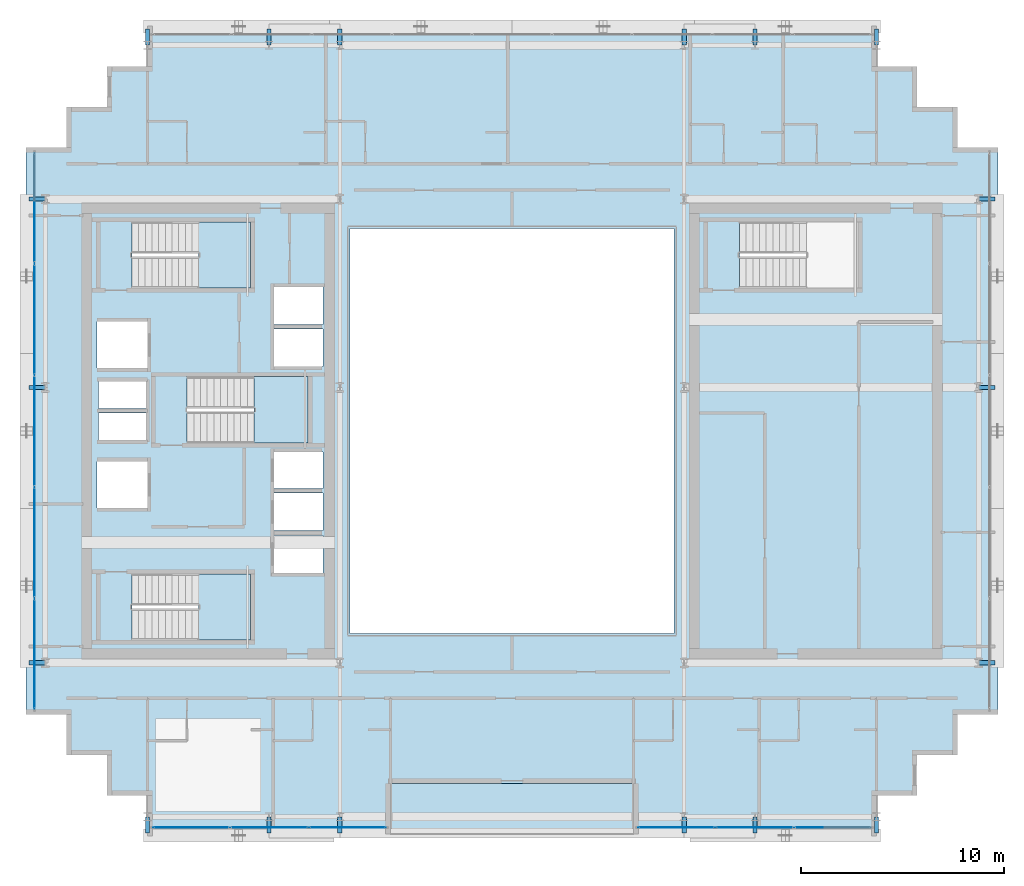
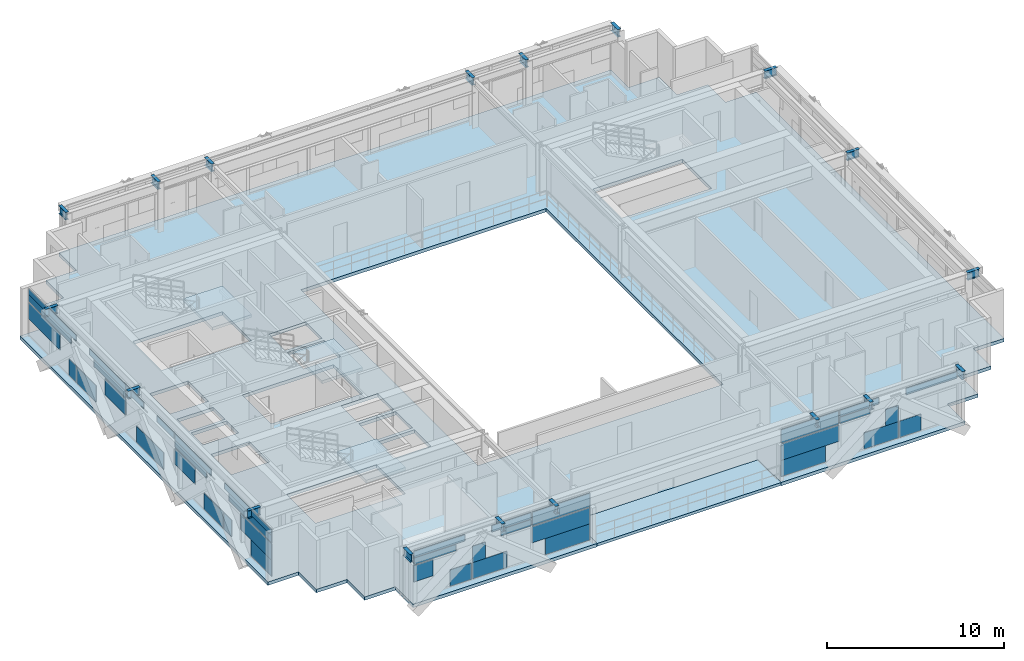
# One storey, part 20 of 31: 40 plates, 18 beams, 5 slabs, 6 elements without a shape of their own.
"""IFC4 building model written with IfcOpenShell, lengths in metres."""

from ifc_helpers import new_model, si_unit, direction, frame, origin, origin_2d, place, context, subcontext, project, spatial, polyline, rectangle, i_section, outline, extrude, source, transform, mapped, material, layer, layer_set, material_profile, profile_set, type_object, element, aggregate, save


model = new_model("IFC4")

# Units and contexts
model_context = context("Model", 3, precision=1e-05, world=origin(), true_north=direction((0.0, 1.0)))
body_context = subcontext(model_context, "Body", "Model", "MODEL_VIEW")
ifc_project = project(units=[si_unit("LENGTHUNIT", "METRE"), si_unit("AREAUNIT", "SQUARE_METRE"), si_unit("VOLUMEUNIT", "CUBIC_METRE"), si_unit("PLANEANGLEUNIT", "RADIAN"), si_unit("MASSUNIT", "GRAM", prefix="KILO")], contexts=[model_context])

# Site, building, storey
site_placement = place(None, origin())
site = spatial("IfcSite", under=ifc_project, at=site_placement, CompositionType="ELEMENT")
building_placement = place(site_placement, origin())
building = spatial("IfcBuilding", under=site, at=building_placement, Name="Ocotamira Hotel", CompositionType="ELEMENT")
storey_placement = place(building_placement, frame((0.0, 0.0, 181.199951171875)))
storey = spatial("IfcBuildingStorey", under=building, at=storey_placement, Name="L45", CompositionType="ELEMENT", Elevation=181.199951171875)

# Beams
ifc_material_1 = material(Name="Steel ASTM A992 Grade 50", Category="steel")
ifc_material_profile = material_profile(ifc_material_1, i_section(OverallWidth=0.2099609375, OverallDepth=0.537109375, WebThickness=0.010986328125, FlangeThickness=0.017333984375, FilletRadius=0.012939453125, at=origin_2d()), Name="W21X68")
ifc_profile_set = profile_set([ifc_material_profile], Name="Steel ASTM A992 Grade 50")
beam_type = type_object("IfcBeamType", Name="BM-SEC-W21X68", PredefinedType="JOIST", material=ifc_profile_set)
shared_shape_1 = source(origin(), body_context, "Body", "SweptSolid", [
    extrude(i_section(OverallWidth=0.2099609375, OverallDepth=0.537109375, WebThickness=0.010986328125, FlangeThickness=0.017333984375, FilletRadius=0.012939453125, at=origin_2d()), origin(), (0.0, 0.0, 1.0), 0.800048828125),
])
for number, where, z_axis, x_axis, name in (
    (1, (14.0, 6.949951171875, 3.1015625), (0.0, -1.0, 0.0), (1.0, 0.0, 0.0), "L45 South Edge Header X14"),
    (2, (14.0, 45.050048828125, 3.1015625), (0.0, 1.0, 0.0), (-1.0, 0.0, 0.0), "L45 North Edge Header X14"),
    (3, (20.0, 6.949951171875, 3.1015625), (0.0, -1.0, 0.0), (1.0, 0.0, 0.0), "L45 South Edge Header X20"),
    (4, (20.0, 45.050048828125, 3.1015625), (0.0, 1.0, 0.0), (-1.0, 0.0, 0.0), "L45 North Edge Header X20"),
    (5, (23.5, 6.949951171875, 3.1015625), (0.0, -1.0, 0.0), (1.0, 0.0, 0.0), "L45 South Edge Header X23.5"),
    (6, (23.5, 45.050048828125, 3.1015625), (0.0, 1.0, 0.0), (-1.0, 0.0, 0.0), "L45 North Edge Header X23.5"),
    (7, (40.5, 6.949951171875, 3.1015625), (0.0, -1.0, 0.0), (1.0, 0.0, 0.0), "L45 South Edge Header X40.5"),
    (8, (40.5, 45.050048828125, 3.1015625), (0.0, 1.0, 0.0), (-1.0, 0.0, 0.0), "L45 North Edge Header X40.5"),
    (9, (44.0, 6.949951171875, 3.1015625), (0.0, -1.0, 0.0), (1.0, 0.0, 0.0), "L45 South Edge Header X44"),
    (10, (44.0, 45.050048828125, 3.1015625), (0.0, 1.0, 0.0), (-1.0, 0.0, 0.0), "L45 North Edge Header X44"),
    (11, (50.0, 6.949951171875, 3.1015625), (0.0, -1.0, 0.0), (1.0, 0.0, 0.0), "L45 South Edge Header X50"),
    (12, (50.0, 45.050048828125, 3.1015625), (0.0, 1.0, 0.0), (-1.0, 0.0, 0.0), "L45 North Edge Header X50"),
    (13, (8.949951171875, 14.550048828125, 3.1015625), (-1.0, 0.0, 0.0), (0.0, -1.0, 0.0), "L45 West Edge Header Y14.55"),
    (14, (55.050048828125, 14.550048828125, 3.1015625), (1.0, 0.0, 0.0), (0.0, 1.0, 0.0), "L45 East Edge Header Y14.55"),
    (15, (8.949951171875, 28.14990234375, 3.1015625), (-1.0, 0.0, 0.0), (0.0, -1.0, 0.0), "L45 West Edge Header Y28.15"),
    (16, (55.050048828125, 28.14990234375, 3.1015625), (1.0, 0.0, 0.0), (0.0, 1.0, 0.0), "L45 East Edge Header Y28.15"),
    (17, (8.949951171875, 37.449951171875, 3.1015625), (-1.0, 0.0, 0.0), (0.0, -1.0, 0.0), "L45 West Edge Header Y37.45"),
    (18, (55.050048828125, 37.449951171875, 3.1015625), (1.0, 0.0, 0.0), (0.0, 1.0, 0.0), "L45 East Edge Header Y37.45"),
):
    element("IfcBeam", number, at=place(storey_placement, frame(where, z_axis=z_axis, x_axis=x_axis)), inside=storey, type_object=beam_type, Name=name, PredefinedType="JOIST", context=body_context, shape_type="MappedRepresentation", body=[
        mapped(shared_shape_1, transform((0.0, 0.0, 0.0), scale=1.0)),
    ])

# Slab
ifc_material_2 = material(Name="Concrete C40/50", Category="concrete")
ifc_layer_1 = layer(ifc_material_2, 0.199951171875)
ifc_layer_set_1 = layer_set([ifc_layer_1], Name="Concrete C40/50")
slab_type_1 = type_object("IfcSlabType", Name="SLB-BAL-200", PredefinedType="FLOOR", material=ifc_layer_set_1)
slab_1_placement = place(storey_placement, frame((0.0, 0.0, -0.199951171875)))
element("IfcSlab", 19, at=slab_1_placement, inside=storey, type_object=slab_type_1, Name="L45 Outdoor Sky Terrace Slab 1", PredefinedType="FLOOR", context=body_context, shape_type="SweptSolid", body=[
    extrude(outline(polyline([(26.0, 6.0), (38.0, 6.0), (38.0, 8.60009765625), (26.0, 8.60009765625), (26.0, 6.0)])), origin(), (0.0, 0.0, 1.0), 0.199951171875),
])

# Stair, slab
stair_type = type_object("IfcStairType", Name="ST-CORE-1560", PredefinedType="HALF_TURN_STAIR", material=ifc_material_2)
stair_1_placement = place(storey_placement, origin())
stair_1 = element("IfcStair", 20, at=stair_1_placement, inside=storey, type_object=stair_type, Name="L45 Exit Stair ST-1", PredefinedType="HALF_TURN_STAIR")
ifc_layer_2 = layer(ifc_material_2, 0.199951171875)
ifc_layer_set_2 = layer_set([ifc_layer_2], Name="Concrete C40/50")
slab_type_2 = type_object("IfcSlabType", Name="SLB-LAND-200", PredefinedType="LANDING", material=ifc_layer_set_2)
slab_2_placement = place(storey_placement, frame((0.0, 0.0, 1.60009765625)))
slab_2 = element("IfcSlab", 21, at=slab_2_placement, type_object=slab_type_2, Name="ST-1 landing 1", PredefinedType="LANDING", context=body_context, shape_type="SweptSolid", body=[
    extrude(outline(polyline([(16.530029296875, 15.669921875), (19.090087890625, 15.669921875), (19.090087890625, 18.949951171875), (16.530029296875, 18.949951171875), (16.530029296875, 15.669921875)])), origin(), (0.0, 0.0, 1.0), 0.199951171875),
])
aggregate(stair_1, [slab_2])

stair_2_placement = place(storey_placement, origin())
stair_2 = element("IfcStair", 22, at=stair_2_placement, inside=storey, type_object=stair_type, Name="L45 Exit Stair ST-2", PredefinedType="HALF_TURN_STAIR")
slab_3_placement = place(storey_placement, frame((0.0, 0.0, 1.60009765625)))
slab_3 = element("IfcSlab", 23, at=slab_3_placement, type_object=slab_type_2, Name="ST-2 landing 1", PredefinedType="LANDING", context=body_context, shape_type="SweptSolid", body=[
    extrude(outline(polyline([(16.530029296875, 33.050048828125), (19.090087890625, 33.050048828125), (19.090087890625, 36.330078125), (16.530029296875, 36.330078125), (16.530029296875, 33.050048828125)])), origin(), (0.0, 0.0, 1.0), 0.199951171875),
])
aggregate(stair_2, [slab_3])

stair_3_placement = place(storey_placement, origin())
stair_3 = element("IfcStair", 24, at=stair_3_placement, inside=storey, type_object=stair_type, Name="L45 Exit Stair ST-3", PredefinedType="HALF_TURN_STAIR")
slab_4_placement = place(storey_placement, frame((0.0, 0.0, 1.60009765625)))
slab_4 = element("IfcSlab", 25, at=slab_4_placement, type_object=slab_type_2, Name="ST-3 landing 1", PredefinedType="LANDING", context=body_context, shape_type="SweptSolid", body=[
    extrude(outline(polyline([(19.260009765625, 25.39990234375), (21.919921875, 25.39990234375), (21.919921875, 28.679931640625), (19.260009765625, 28.679931640625), (19.260009765625, 25.39990234375)])), origin(), (0.0, 0.0, 1.0), 0.199951171875),
])
aggregate(stair_3, [slab_4])

# Slab
ifc_layer_3 = layer(ifc_material_2, 0.22998046875)
ifc_layer_set_3 = layer_set([ifc_layer_3], Name="Concrete C40/50")
slab_type_3 = type_object("IfcSlabType", Name="SLB-Z3-230", PredefinedType="FLOOR", material=ifc_layer_set_3)
slab_5_placement = place(storey_placement, frame((0.0, 0.0, -0.22998046875)))
element("IfcSlab", 26, at=slab_5_placement, inside=storey, type_object=slab_type_3, Name="L45 Structural Floor Slab", PredefinedType="FLOOR", context=body_context, shape_type="SweptSolid", body=[
    extrude(outline(polyline([(14.0, 6.0), (14.0, 8.0), (12.0, 8.0), (12.0, 10.0), (10.0, 10.0), (10.0, 12.0), (8.0, 12.0), (8.0, 40.0), (10.0, 40.0), (10.0, 42.0), (12.0, 42.0), (12.0, 44.0), (14.0, 44.0), (14.0, 46.0), (50.0, 46.0), (50.0, 44.0), (52.0, 44.0), (52.0, 42.0), (54.0, 42.0), (54.0, 40.0), (56.0, 40.0), (56.0, 12.0), (54.0, 12.0), (54.0, 10.0), (52.0, 10.0), (52.0, 8.0), (50.0, 8.0), (50.0, 6.0), (38.0, 6.0), (38.0, 8.60009765625), (26.0, 8.60009765625), (26.0, 6.0), (14.0, 6.0)]), holes=[polyline([(24.0, 16.0), (40.0, 16.0), (40.0, 36.0), (24.0, 36.0), (24.0, 16.0)]), polyline([(13.22998046875, 15.669921875), (19.090087890625, 15.669921875), (19.090087890625, 18.949951171875), (13.22998046875, 18.949951171875), (13.22998046875, 15.669921875)]), polyline([(13.22998046875, 33.050048828125), (19.090087890625, 33.050048828125), (19.090087890625, 36.330078125), (13.22998046875, 36.330078125), (13.22998046875, 33.050048828125)]), polyline([(15.9599609375, 25.39990234375), (21.919921875, 25.39990234375), (21.919921875, 28.679931640625), (15.9599609375, 28.679931640625), (15.9599609375, 25.39990234375)]), polyline([(43.22998046875, 33.050048828125), (49.090087890625, 33.050048828125), (49.090087890625, 36.330078125), (43.22998046875, 36.330078125), (43.22998046875, 33.050048828125)]), polyline([(20.25, 19.0), (22.659912109375, 19.0), (22.659912109375, 20.85009765625), (20.25, 20.85009765625), (20.25, 19.0)]), polyline([(20.25, 21.080078125), (22.659912109375, 21.080078125), (22.659912109375, 22.929931640625), (20.25, 22.929931640625), (20.25, 21.080078125)]), polyline([(20.25, 23.159912109375), (22.659912109375, 23.159912109375), (22.659912109375, 24.9599609375), (20.25, 24.9599609375), (20.25, 23.159912109375)]), polyline([(20.25, 29.179931640625), (22.659912109375, 29.179931640625), (22.659912109375, 31.030029296875), (20.25, 31.030029296875), (20.25, 29.179931640625)]), polyline([(20.25, 31.260009765625), (22.659912109375, 31.260009765625), (22.659912109375, 33.110107421875), (20.25, 33.110107421875), (20.25, 31.260009765625)]), polyline([(11.5, 22.199951171875), (14.0, 22.199951171875), (14.0, 24.5), (11.5, 24.5), (11.5, 22.199951171875)]), polyline([(11.5, 29.10009765625), (14.0, 29.10009765625), (14.0, 31.39990234375), (11.5, 31.39990234375), (11.5, 29.10009765625)]), polyline([(11.580078125, 25.550048828125), (13.919921875, 25.550048828125), (13.919921875, 26.89990234375), (11.580078125, 26.89990234375), (11.580078125, 25.550048828125)]), polyline([(11.580078125, 27.10009765625), (13.919921875, 27.10009765625), (13.919921875, 28.449951171875), (11.580078125, 28.449951171875), (11.580078125, 27.10009765625)])]), origin(), (0.0, 0.0, 1.0), 0.22998046875),
])

# Curtain wall, plate
ifc_material_3 = material(Name="Anodised pale-metal aluminium and solar glass", Category="aluminium")
ifc_layer_4 = layer(ifc_material_3, 0.199951171875)
ifc_layer_set_4 = layer_set([ifc_layer_4], Name="Anodised pale-metal aluminium and solar glass")
curtain_wall_type = type_object("IfcCurtainWallType", Name="CW-SYS4-Z3", PredefinedType="NOTDEFINED", material=ifc_layer_set_4)
curtain_wall_1_placement = place(storey_placement, origin())
curtain_wall_1 = element("IfcCurtainWall", 27, at=curtain_wall_1_placement, inside=storey, type_object=curtain_wall_type, Name="L45 Curtain Wall CW-4 CW-L45-S1", PredefinedType="NOTDEFINED")
ifc_material_4 = material(Name="Double-silver low-E insulated solar glass", Category="glass")
ifc_layer_5 = layer(ifc_material_4, 0.031982421875)
ifc_layer_set_5 = layer_set([ifc_layer_5], Name="Double-silver low-E insulated solar glass")
plate_type = type_object("IfcPlateType", Name="CWP-VISION-32", PredefinedType="CURTAIN_PANEL", material=ifc_layer_set_5)
shared_shape_2 = source(origin(), body_context, "Body", "SweptSolid", [
    extrude(rectangle(XDim=1.390869140625, YDim=0.031982421875, at=origin_2d()), origin(), (0.0, 0.0, 1.0), 1.118896484375),
])
plate_1_placement = place(storey_placement, frame((17.347900390625, 6.419921875, 0.0751953125), z_axis=(0.0, 0.0, 1.0), x_axis=(1.0, 0.0, 0.0)))
plate_1 = element("IfcPlate", 28, at=plate_1_placement, type_object=plate_type, Name="CW-4 panel 1.1.2", PredefinedType="CURTAIN_PANEL", context=body_context, shape_type="MappedRepresentation", body=[
    mapped(shared_shape_2, transform((0.0, 0.0, 0.0), scale=1.0)),
])

curtain_wall_2_placement = place(storey_placement, origin())
curtain_wall_2 = element("IfcCurtainWall", 29, at=curtain_wall_2_placement, inside=storey, type_object=curtain_wall_type, Name="L45 Curtain Wall CW-4 CW-L45-S2", PredefinedType="NOTDEFINED")
plate_2_placement = place(storey_placement, frame((46.652099609375, 6.419921875, 0.0751953125), z_axis=(0.0, 0.0, 1.0), x_axis=(1.0, 0.0, 0.0)))
plate_2 = element("IfcPlate", 30, at=plate_2_placement, type_object=plate_type, Name="CW-4 panel 3.1.1", PredefinedType="CURTAIN_PANEL", context=body_context, shape_type="MappedRepresentation", body=[
    mapped(shared_shape_2, transform((0.0, 0.0, 0.0), scale=1.0)),
])

# Plate
shared_shape_3 = source(origin(), body_context, "Body", "SweptSolid", [
    extrude(rectangle(XDim=2.744140625, YDim=0.031982421875, at=origin_2d()), origin(), (0.0, 0.0, 1.0), 0.443603515625),
])
plate_3_placement = place(storey_placement, frame((15.652099609375, 6.419921875, 2.3876953125), z_axis=(0.0, 0.0, 1.0), x_axis=(1.0, 0.0, 0.0)))
plate_3 = element("IfcPlate", 31, at=plate_3_placement, type_object=plate_type, Name="CW-4 panel 1.2.1", PredefinedType="CURTAIN_PANEL", context=body_context, shape_type="MappedRepresentation", body=[
    mapped(shared_shape_3, transform((0.0, 0.0, 0.0), scale=1.0)),
])

shared_shape_4 = source(origin(), body_context, "Body", "SweptSolid", [
    extrude(rectangle(XDim=3.337646484375, YDim=0.031982421875, at=origin_2d()), origin(), (0.0, 0.0, 1.0), 0.4326171875),
])
plate_4_placement = place(storey_placement, frame((15.94873046875, 6.419921875, 2.862548828125), z_axis=(0.0, 0.0, 1.0), x_axis=(1.0, 0.0, 0.0)))
plate_4 = element("IfcPlate", 32, at=plate_4_placement, type_object=plate_type, Name="CW-4 panel 1.2.2", PredefinedType="CURTAIN_PANEL", context=body_context, shape_type="MappedRepresentation", body=[
    mapped(shared_shape_4, transform((0.0, 0.0, 0.0), scale=1.0)),
])

plate_5_placement = place(storey_placement, frame((48.05126953125, 6.419921875, 2.862548828125), z_axis=(0.0, 0.0, 1.0), x_axis=(1.0, 0.0, 0.0)))
plate_5 = element("IfcPlate", 33, at=plate_5_placement, type_object=plate_type, Name="CW-4 panel 3.2.1", PredefinedType="CURTAIN_PANEL", context=body_context, shape_type="MappedRepresentation", body=[
    mapped(shared_shape_4, transform((0.0, 0.0, 0.0), scale=1.0)),
])

shared_shape_5 = source(origin(), body_context, "Body", "SweptSolid", [
    extrude(rectangle(XDim=2.22412109375, YDim=0.031982421875, at=origin_2d()), origin(), (0.0, 0.0, 1.0), 1.118896484375),
])
plate_6_placement = place(storey_placement, frame((19.2353515625, 6.419921875, 0.0751953125), z_axis=(0.0, 0.0, 1.0), x_axis=(1.0, 0.0, 0.0)))
plate_6 = element("IfcPlate", 34, at=plate_6_placement, type_object=plate_type, Name="CW-4 panel 2.1.1", PredefinedType="CURTAIN_PANEL", context=body_context, shape_type="MappedRepresentation", body=[
    mapped(shared_shape_5, transform((0.0, 0.0, 0.0), scale=1.0)),
])

plate_7_placement = place(storey_placement, frame((44.7646484375, 6.419921875, 0.0751953125), z_axis=(0.0, 0.0, 1.0), x_axis=(1.0, 0.0, 0.0)))
plate_7 = element("IfcPlate", 35, at=plate_7_placement, type_object=plate_type, Name="CW-4 panel 2.1.1", PredefinedType="CURTAIN_PANEL", context=body_context, shape_type="MappedRepresentation", body=[
    mapped(shared_shape_5, transform((0.0, 0.0, 0.0), scale=1.0)),
])

shared_shape_6 = source(origin(), body_context, "Body", "SweptSolid", [
    extrude(rectangle(XDim=2.544189453125, YDim=0.031982421875, at=origin_2d()), origin(), (0.0, 0.0, 1.0), 0.4326171875),
])
plate_8_placement = place(storey_placement, frame((20.654541015625, 6.419921875, 2.862548828125), z_axis=(0.0, 0.0, 1.0), x_axis=(1.0, 0.0, 0.0)))
plate_8 = element("IfcPlate", 36, at=plate_8_placement, type_object=plate_type, Name="CW-4 panel 2.2.1", PredefinedType="CURTAIN_PANEL", context=body_context, shape_type="MappedRepresentation", body=[
    mapped(shared_shape_6, transform((0.0, 0.0, 0.0), scale=1.0)),
])

plate_9_placement = place(storey_placement, frame((43.345458984375, 6.419921875, 2.862548828125), z_axis=(0.0, 0.0, 1.0), x_axis=(1.0, 0.0, 0.0)))
plate_9 = element("IfcPlate", 37, at=plate_9_placement, type_object=plate_type, Name="CW-4 panel 2.2.2", PredefinedType="CURTAIN_PANEL", context=body_context, shape_type="MappedRepresentation", body=[
    mapped(shared_shape_6, transform((0.0, 0.0, 0.0), scale=1.0)),
])

shared_shape_7 = source(origin(), body_context, "Body", "SweptSolid", [
    extrude(rectangle(XDim=1.95068359375, YDim=0.031982421875, at=origin_2d()), origin(), (0.0, 0.0, 1.0), 0.443603515625),
])
plate_10_placement = place(storey_placement, frame((20.951416015625, 6.419921875, 2.3876953125), z_axis=(0.0, 0.0, 1.0), x_axis=(1.0, 0.0, 0.0)))
plate_10 = element("IfcPlate", 38, at=plate_10_placement, type_object=plate_type, Name="CW-4 panel 2.2.2", PredefinedType="CURTAIN_PANEL", context=body_context, shape_type="MappedRepresentation", body=[
    mapped(shared_shape_7, transform((0.0, 0.0, 0.0), scale=1.0)),
])

plate_11_placement = place(storey_placement, frame((43.048583984375, 6.419921875, 2.3876953125), z_axis=(0.0, 0.0, 1.0), x_axis=(1.0, 0.0, 0.0)))
plate_11 = element("IfcPlate", 39, at=plate_11_placement, type_object=plate_type, Name="CW-4 panel 2.2.1", PredefinedType="CURTAIN_PANEL", context=body_context, shape_type="MappedRepresentation", body=[
    mapped(shared_shape_7, transform((0.0, 0.0, 0.0), scale=1.0)),
])

shared_shape_8 = source(origin(), body_context, "Body", "SweptSolid", [
    extrude(rectangle(XDim=2.903564453125, YDim=0.031982421875, at=origin_2d()), origin(), (0.0, 0.0, 1.0), 1.118896484375),
])
plate_12_placement = place(storey_placement, frame((24.318359375, 6.419921875, 0.0751953125), z_axis=(0.0, 0.0, 1.0), x_axis=(1.0, 0.0, 0.0)))
plate_12 = element("IfcPlate", 40, at=plate_12_placement, type_object=plate_type, Name="CW-4 panel 3.1.2", PredefinedType="CURTAIN_PANEL", context=body_context, shape_type="MappedRepresentation", body=[
    mapped(shared_shape_8, transform((0.0, 0.0, 0.0), scale=1.0)),
])

plate_13_placement = place(storey_placement, frame((39.681640625, 6.419921875, 0.0751953125), z_axis=(0.0, 0.0, 1.0), x_axis=(1.0, 0.0, 0.0)))
plate_13 = element("IfcPlate", 41, at=plate_13_placement, type_object=plate_type, Name="CW-4 panel 1.1.1", PredefinedType="CURTAIN_PANEL", context=body_context, shape_type="MappedRepresentation", body=[
    mapped(shared_shape_8, transform((0.0, 0.0, 0.0), scale=1.0)),
])

shared_shape_9 = source(origin(), body_context, "Body", "SweptSolid", [
    extrude(rectangle(XDim=3.763427734375, YDim=0.031982421875, at=origin_2d()), origin(), (0.0, 0.0, 1.0), 0.907470703125),
])
plate_14_placement = place(storey_placement, frame((23.888427734375, 6.419921875, 2.3876953125), z_axis=(0.0, 0.0, 1.0), x_axis=(1.0, 0.0, 0.0)))
plate_14 = element("IfcPlate", 42, at=plate_14_placement, type_object=plate_type, Name="CW-4 panel 3.2", PredefinedType="CURTAIN_PANEL", context=body_context, shape_type="MappedRepresentation", body=[
    mapped(shared_shape_9, transform((0.0, 0.0, 0.0), scale=1.0)),
])

plate_15_placement = place(storey_placement, frame((40.111572265625, 6.419921875, 2.3876953125), z_axis=(0.0, 0.0, 1.0), x_axis=(1.0, 0.0, 0.0)))
plate_15 = element("IfcPlate", 43, at=plate_15_placement, type_object=plate_type, Name="CW-4 panel 1.2", PredefinedType="CURTAIN_PANEL", context=body_context, shape_type="MappedRepresentation", body=[
    mapped(shared_shape_9, transform((0.0, 0.0, 0.0), scale=1.0)),
])

# Curtain wall, plates
curtain_wall_3_placement = place(storey_placement, origin())
curtain_wall_3 = element("IfcCurtainWall", 44, at=curtain_wall_3_placement, inside=storey, type_object=curtain_wall_type, Name="L45 Curtain Wall CW-4 CW-L45-W", PredefinedType="NOTDEFINED")
shared_shape_10 = source(origin(), body_context, "Body", "SweptSolid", [
    extrude(rectangle(XDim=2.348388671875, YDim=0.031982421875, at=origin_2d()), origin(), (0.0, 0.0, 1.0), 1.118896484375),
])
plate_16_placement = place(storey_placement, frame((8.419921875, 13.4541015625, 0.0751953125), z_axis=(0.0, 0.0, 1.0), x_axis=(0.0, 1.0, 0.0)))
plate_16 = element("IfcPlate", 45, at=plate_16_placement, type_object=plate_type, Name="CW-4 panel 1.1.1", PredefinedType="CURTAIN_PANEL", context=body_context, shape_type="MappedRepresentation", body=[
    mapped(shared_shape_10, transform((0.0, 0.0, 0.0), scale=1.0)),
])
shared_shape_11 = source(origin(), body_context, "Body", "SweptSolid", [
    extrude(rectangle(XDim=0.845458984375, YDim=0.031982421875, at=origin_2d()), origin(), (0.0, 0.0, 1.0), 1.118896484375),
])
plate_17_placement = place(storey_placement, frame((8.419921875, 17.25732421875, 0.0751953125), z_axis=(0.0, 0.0, 1.0), x_axis=(0.0, 1.0, 0.0)))
plate_17 = element("IfcPlate", 46, at=plate_17_placement, type_object=plate_type, Name="CW-4 panel 1.1.3", PredefinedType="CURTAIN_PANEL", context=body_context, shape_type="MappedRepresentation", body=[
    mapped(shared_shape_11, transform((0.0, 0.0, 0.0), scale=1.0)),
])
plate_18_placement = place(storey_placement, frame((8.419921875, 34.74267578125, 0.0751953125), z_axis=(0.0, 0.0, 1.0), x_axis=(0.0, 1.0, 0.0)))
plate_18 = element("IfcPlate", 47, at=plate_18_placement, type_object=plate_type, Name="CW-4 panel 5.1.1", PredefinedType="CURTAIN_PANEL", context=body_context, shape_type="MappedRepresentation", body=[
    mapped(shared_shape_11, transform((0.0, 0.0, 0.0), scale=1.0)),
])
shared_shape_12 = source(origin(), body_context, "Body", "SweptSolid", [
    extrude(rectangle(XDim=4.7998046875, YDim=0.031982421875, at=origin_2d()), origin(), (0.0, 0.0, 1.0), 0.4951171875),
])
plate_19_placement = place(storey_placement, frame((8.419921875, 14.679931640625, 2.387451171875), z_axis=(0.0, 0.0, 1.0), x_axis=(0.0, 1.0, 0.0)))
plate_19 = element("IfcPlate", 48, at=plate_19_placement, type_object=plate_type, Name="CW-4 panel 1.2.1", PredefinedType="CURTAIN_PANEL", context=body_context, shape_type="MappedRepresentation", body=[
    mapped(shared_shape_12, transform((0.0, 0.0, 0.0), scale=1.0)),
])
plate_20_placement = place(storey_placement, frame((8.419921875, 37.320068359375, 2.387451171875), z_axis=(0.0, 0.0, 1.0), x_axis=(0.0, 1.0, 0.0)))
plate_20 = element("IfcPlate", 49, at=plate_20_placement, type_object=plate_type, Name="CW-4 panel 5.2.2", PredefinedType="CURTAIN_PANEL", context=body_context, shape_type="MappedRepresentation", body=[
    mapped(shared_shape_12, transform((0.0, 0.0, 0.0), scale=1.0)),
])
shared_shape_13 = source(origin(), body_context, "Body", "SweptSolid", [
    extrude(rectangle(XDim=5.32470703125, YDim=0.031982421875, at=origin_2d()), origin(), (0.0, 0.0, 1.0), 0.41259765625),
])
plate_21_placement = place(storey_placement, frame((8.419921875, 14.9423828125, 2.882568359375), z_axis=(0.0, 0.0, 1.0), x_axis=(0.0, 1.0, 0.0)))
plate_21 = element("IfcPlate", 50, at=plate_21_placement, type_object=plate_type, Name="CW-4 panel 1.2.2", PredefinedType="CURTAIN_PANEL", context=body_context, shape_type="MappedRepresentation", body=[
    mapped(shared_shape_13, transform((0.0, 0.0, 0.0), scale=1.0)),
])
plate_22_placement = place(storey_placement, frame((8.419921875, 37.0576171875, 2.882568359375), z_axis=(0.0, 0.0, 1.0), x_axis=(0.0, 1.0, 0.0)))
plate_22 = element("IfcPlate", 51, at=plate_22_placement, type_object=plate_type, Name="CW-4 panel 5.2.1", PredefinedType="CURTAIN_PANEL", context=body_context, shape_type="MappedRepresentation", body=[
    mapped(shared_shape_13, transform((0.0, 0.0, 0.0), scale=1.0)),
])
shared_shape_14 = source(origin(), body_context, "Body", "SweptSolid", [
    extrude(rectangle(XDim=2.138671875, YDim=0.031982421875, at=origin_2d()), origin(), (0.0, 0.0, 1.0), 1.118896484375),
])
plate_23_placement = place(storey_placement, frame((8.419921875, 18.829345703125, 0.0751953125), z_axis=(0.0, 0.0, 1.0), x_axis=(0.0, 1.0, 0.0)))
plate_23 = element("IfcPlate", 52, at=plate_23_placement, type_object=plate_type, Name="CW-4 panel 2.1.1", PredefinedType="CURTAIN_PANEL", context=body_context, shape_type="MappedRepresentation", body=[
    mapped(shared_shape_14, transform((0.0, 0.0, 0.0), scale=1.0)),
])
plate_24_placement = place(storey_placement, frame((8.419921875, 33.170654296875, 0.0751953125), z_axis=(0.0, 0.0, 1.0), x_axis=(0.0, 1.0, 0.0)))
plate_24 = element("IfcPlate", 53, at=plate_24_placement, type_object=plate_type, Name="CW-4 panel 4.1.2", PredefinedType="CURTAIN_PANEL", context=body_context, shape_type="MappedRepresentation", body=[
    mapped(shared_shape_14, transform((0.0, 0.0, 0.0), scale=1.0)),
])
shared_shape_15 = source(origin(), body_context, "Body", "SweptSolid", [
    extrude(rectangle(XDim=4.071533203125, YDim=0.031982421875, at=origin_2d()), origin(), (0.0, 0.0, 1.0), 0.41259765625),
])
plate_25_placement = place(storey_placement, frame((8.419921875, 21.164306640625, 2.882568359375), z_axis=(0.0, 0.0, 1.0), x_axis=(0.0, 1.0, 0.0)))
plate_25 = element("IfcPlate", 54, at=plate_25_placement, type_object=plate_type, Name="CW-4 panel 2.2.1", PredefinedType="CURTAIN_PANEL", context=body_context, shape_type="MappedRepresentation", body=[
    mapped(shared_shape_15, transform((0.0, 0.0, 0.0), scale=1.0)),
])
plate_26_placement = place(storey_placement, frame((8.419921875, 30.835693359375, 2.882568359375), z_axis=(0.0, 0.0, 1.0), x_axis=(0.0, 1.0, 0.0)))
plate_26 = element("IfcPlate", 55, at=plate_26_placement, type_object=plate_type, Name="CW-4 panel 4.2.2", PredefinedType="CURTAIN_PANEL", context=body_context, shape_type="MappedRepresentation", body=[
    mapped(shared_shape_15, transform((0.0, 0.0, 0.0), scale=1.0)),
])
shared_shape_16 = source(origin(), body_context, "Body", "SweptSolid", [
    extrude(rectangle(XDim=3.546630859375, YDim=0.031982421875, at=origin_2d()), origin(), (0.0, 0.0, 1.0), 0.460693359375),
])
plate_27_placement = place(storey_placement, frame((8.419921875, 21.426513671875, 2.3876953125), z_axis=(0.0, 0.0, 1.0), x_axis=(0.0, 1.0, 0.0)))
plate_27 = element("IfcPlate", 56, at=plate_27_placement, type_object=plate_type, Name="CW-4 panel 2.2.2", PredefinedType="CURTAIN_PANEL", context=body_context, shape_type="MappedRepresentation", body=[
    mapped(shared_shape_16, transform((0.0, 0.0, 0.0), scale=1.0)),
])
plate_28_placement = place(storey_placement, frame((8.419921875, 30.573486328125, 2.3876953125), z_axis=(0.0, 0.0, 1.0), x_axis=(0.0, 1.0, 0.0)))
plate_28 = element("IfcPlate", 57, at=plate_28_placement, type_object=plate_type, Name="CW-4 panel 4.2.1", PredefinedType="CURTAIN_PANEL", context=body_context, shape_type="MappedRepresentation", body=[
    mapped(shared_shape_16, transform((0.0, 0.0, 0.0), scale=1.0)),
])
shared_shape_17 = source(origin(), body_context, "Body", "SweptSolid", [
    extrude(rectangle(XDim=3.064208984375, YDim=0.031982421875, at=origin_2d()), origin(), (0.0, 0.0, 1.0), 1.118896484375),
])
plate_29_placement = place(storey_placement, frame((8.419921875, 26.0, 0.0751953125), z_axis=(0.0, 0.0, 1.0), x_axis=(0.0, 1.0, 0.0)))
plate_29 = element("IfcPlate", 58, at=plate_29_placement, type_object=plate_type, Name="CW-4 panel 3.1.1", PredefinedType="CURTAIN_PANEL", context=body_context, shape_type="MappedRepresentation", body=[
    mapped(shared_shape_17, transform((0.0, 0.0, 0.0), scale=1.0)),
])
shared_shape_18 = source(origin(), body_context, "Body", "SweptSolid", [
    extrude(rectangle(XDim=1.958251953125, YDim=0.031982421875, at=origin_2d()), origin(), (0.0, 0.0, 1.0), 0.41259765625),
])
plate_30_placement = place(storey_placement, frame((8.419921875, 24.259033203125, 2.882568359375), z_axis=(0.0, 0.0, 1.0), x_axis=(0.0, 1.0, 0.0)))
plate_30 = element("IfcPlate", 59, at=plate_30_placement, type_object=plate_type, Name="CW-4 panel 3.2.1", PredefinedType="CURTAIN_PANEL", context=body_context, shape_type="MappedRepresentation", body=[
    mapped(shared_shape_18, transform((0.0, 0.0, 0.0), scale=1.0)),
])
plate_31_placement = place(storey_placement, frame((8.419921875, 27.740966796875, 2.882568359375), z_axis=(0.0, 0.0, 1.0), x_axis=(0.0, 1.0, 0.0)))
plate_31 = element("IfcPlate", 60, at=plate_31_placement, type_object=plate_type, Name="CW-4 panel 3.2.2", PredefinedType="CURTAIN_PANEL", context=body_context, shape_type="MappedRepresentation", body=[
    mapped(shared_shape_18, transform((0.0, 0.0, 0.0), scale=1.0)),
])

# Plate
shared_shape_19 = source(origin(), body_context, "Body", "SweptSolid", [
    extrude(rectangle(XDim=3.76318359375, YDim=0.031982421875, at=origin_2d()), origin(), (0.0, 0.0, 1.0), 1.11865234375),
])
plate_32_placement = place(storey_placement, frame((23.88818359375, 6.419921875, 1.19384765625), z_axis=(0.0, 0.0, 1.0), x_axis=(1.0, 0.0, 0.0)))
plate_32 = element("IfcPlate", 61, at=plate_32_placement, type_object=plate_type, Name="CW-4 panel 3.1.1", PredefinedType="CURTAIN_PANEL", context=body_context, shape_type="MappedRepresentation", body=[
    mapped(shared_shape_19, transform((0.0, 0.0, 0.0), scale=1.0)),
])

plate_33_placement = place(storey_placement, frame((40.11181640625, 6.419921875, 1.19384765625), z_axis=(0.0, 0.0, 1.0), x_axis=(1.0, 0.0, 0.0)))
plate_33 = element("IfcPlate", 62, at=plate_33_placement, type_object=plate_type, Name="CW-4 panel 1.1.2", PredefinedType="CURTAIN_PANEL", context=body_context, shape_type="MappedRepresentation", body=[
    mapped(shared_shape_19, transform((0.0, 0.0, 0.0), scale=1.0)),
])

shared_shape_20 = source(origin(), body_context, "Body", "SweptSolid", [
    extrude(rectangle(XDim=1.251953125, YDim=0.031982421875, at=origin_2d()), origin(), (0.0, 0.0, 1.0), 1.11865234375),
])
plate_34_placement = place(storey_placement, frame((14.906005859375, 6.419921875, 1.19384765625), z_axis=(0.0, 0.0, 1.0), x_axis=(1.0, 0.0, 0.0)))
plate_34 = element("IfcPlate", 63, at=plate_34_placement, type_object=plate_type, Name="CW-4 panel 1.1.1", PredefinedType="CURTAIN_PANEL", context=body_context, shape_type="MappedRepresentation", body=[
    mapped(shared_shape_20, transform((0.0, 0.0, 0.0), scale=1.0)),
])

shared_shape_21 = source(origin(), body_context, "Body", "SweptSolid", [
    extrude(rectangle(XDim=0.82568359375, YDim=0.031982421875, at=origin_2d()), origin(), (0.0, 0.0, 1.0), 1.11865234375),
])
plate_35_placement = place(storey_placement, frame((18.5361328125, 6.419921875, 1.19384765625), z_axis=(0.0, 0.0, 1.0), x_axis=(1.0, 0.0, 0.0)))
plate_35 = element("IfcPlate", 64, at=plate_35_placement, type_object=plate_type, Name="CW-4 panel 2.1.2", PredefinedType="CURTAIN_PANEL", context=body_context, shape_type="MappedRepresentation", body=[
    mapped(shared_shape_21, transform((0.0, 0.0, 0.0), scale=1.0)),
])

aggregate(curtain_wall_1, [plate_34, plate_1, plate_3, plate_4, plate_6, plate_35, plate_8, plate_10, plate_32, plate_12, plate_14])

plate_36_placement = place(storey_placement, frame((45.4638671875, 6.419921875, 1.19384765625), z_axis=(0.0, 0.0, 1.0), x_axis=(1.0, 0.0, 0.0)))
plate_36 = element("IfcPlate", 65, at=plate_36_placement, type_object=plate_type, Name="CW-4 panel 2.1.2", PredefinedType="CURTAIN_PANEL", context=body_context, shape_type="MappedRepresentation", body=[
    mapped(shared_shape_21, transform((0.0, 0.0, 0.0), scale=1.0)),
])

aggregate(curtain_wall_2, [plate_13, plate_33, plate_15, plate_7, plate_36, plate_11, plate_9, plate_2, plate_5])

shared_shape_22 = source(origin(), body_context, "Body", "SweptSolid", [
    extrude(rectangle(XDim=3.534423828125, YDim=0.031982421875, at=origin_2d()), origin(), (0.0, 0.0, 1.0), 1.11865234375),
])
plate_37_placement = place(storey_placement, frame((8.419921875, 14.047119140625, 1.19384765625), z_axis=(0.0, 0.0, 1.0), x_axis=(0.0, 1.0, 0.0)))
plate_37 = element("IfcPlate", 66, at=plate_37_placement, type_object=plate_type, Name="CW-4 panel 1.1.2", PredefinedType="CURTAIN_PANEL", context=body_context, shape_type="MappedRepresentation", body=[
    mapped(shared_shape_22, transform((0.0, 0.0, 0.0), scale=1.0)),
])

plate_38_placement = place(storey_placement, frame((8.419921875, 37.952880859375, 1.19384765625), z_axis=(0.0, 0.0, 1.0), x_axis=(0.0, 1.0, 0.0)))
plate_38 = element("IfcPlate", 67, at=plate_38_placement, type_object=plate_type, Name="CW-4 panel 5.1.2", PredefinedType="CURTAIN_PANEL", context=body_context, shape_type="MappedRepresentation", body=[
    mapped(shared_shape_22, transform((0.0, 0.0, 0.0), scale=1.0)),
])

shared_shape_23 = source(origin(), body_context, "Body", "SweptSolid", [
    extrude(rectangle(XDim=2.281005859375, YDim=0.031982421875, at=origin_2d()), origin(), (0.0, 0.0, 1.0), 1.11865234375),
])
plate_39_placement = place(storey_placement, frame((8.419921875, 22.059326171875, 1.19384765625), z_axis=(0.0, 0.0, 1.0), x_axis=(0.0, 1.0, 0.0)))
plate_39 = element("IfcPlate", 68, at=plate_39_placement, type_object=plate_type, Name="CW-4 panel 2.1.2", PredefinedType="CURTAIN_PANEL", context=body_context, shape_type="MappedRepresentation", body=[
    mapped(shared_shape_23, transform((0.0, 0.0, 0.0), scale=1.0)),
])

plate_40_placement = place(storey_placement, frame((8.419921875, 29.940673828125, 1.19384765625), z_axis=(0.0, 0.0, 1.0), x_axis=(0.0, 1.0, 0.0)))
plate_40 = element("IfcPlate", 69, at=plate_40_placement, type_object=plate_type, Name="CW-4 panel 4.1.1", PredefinedType="CURTAIN_PANEL", context=body_context, shape_type="MappedRepresentation", body=[
    mapped(shared_shape_23, transform((0.0, 0.0, 0.0), scale=1.0)),
])

aggregate(curtain_wall_3, [plate_16, plate_37, plate_17, plate_19, plate_21, plate_23, plate_39, plate_25, plate_27, plate_29, plate_30, plate_31, plate_40, plate_24, plate_28, plate_26, plate_18, plate_38, plate_22, plate_20])

save(model, "model.ifc")
